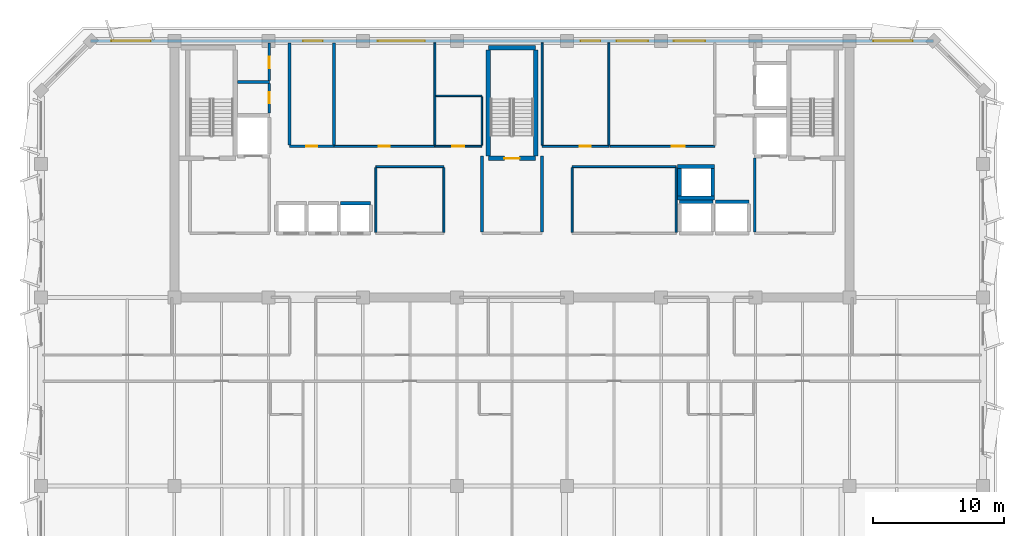
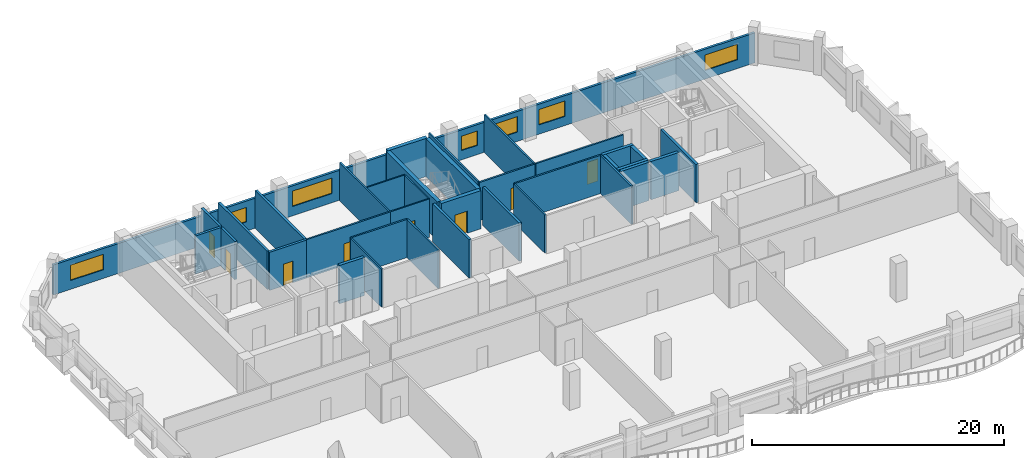
# One storey, part 6 of 11: 36 walls, 8 doors, 7 windows, 15 openings.
"""IFC4 building model written with IfcOpenShell, lengths in metres."""

from ifc_helpers import new_model, si_unit, direction, frame, frame_2d, origin, place, context, subcontext, project, spatial, rectangle, extrude, material, layer, layer_set, type_object, element, fill, save


model = new_model("IFC4")

# Units and contexts
model_context = context("Model", 3, precision=1e-05, world=origin(), true_north=direction((0.0, 1.0)))
body_context = subcontext(model_context, "Body", "Model", "MODEL_VIEW")
ifc_project = project(units=[si_unit("LENGTHUNIT", "METRE"), si_unit("AREAUNIT", "SQUARE_METRE"), si_unit("VOLUMEUNIT", "CUBIC_METRE"), si_unit("PLANEANGLEUNIT", "RADIAN"), si_unit("MASSUNIT", "GRAM", prefix="KILO")], contexts=[model_context])

# Site, building, storey
site_placement = place(None, origin())
site = spatial("IfcSite", under=ifc_project, at=site_placement, CompositionType="ELEMENT")
building_placement = place(site_placement, origin())
building = spatial("IfcBuilding", under=site, at=building_placement, Name="Kaelvorn Grand Hotel", CompositionType="ELEMENT")
storey_placement = place(building_placement, frame((0.0, 0.0, 272.60009765625)))
storey = spatial("IfcBuildingStorey", under=building, at=storey_placement, Name="L67", CompositionType="ELEMENT", Elevation=272.60009765625)

# Wall, openings, windows
ifc_material_1 = material(Name="Concrete C40/50", Category="concrete")
ifc_layer_1 = layer(ifc_material_1, 0.219970703125)
ifc_layer_set_1 = layer_set([ifc_layer_1], Name="Concrete C40/50")
wall_type_1 = type_object("IfcWallType", Name="WL-EXT-220-C40", PredefinedType="SOLIDWALL", material=ifc_layer_set_1)
wall_1_placement = place(storey_placement, frame((74.199951171875, 49.0, 0.0), z_axis=(0.0, 0.0, 1.0), x_axis=(-1.0, 0.0, 0.0)))
wall_1 = element("IfcWall", 1, at=wall_1_placement, inside=storey, type_object=wall_type_1, Name="L67 Exterior Architectural Concrete Wall 05", PredefinedType="SOLIDWALL", context=body_context, shape_type="SweptSolid", body=[
    extrude(rectangle(XDim=64.39990234375, YDim=0.219970703125, at=frame_2d((32.199951171875, 0.0))), origin(), (0.0, 0.0, 1.0), 2.909912109375),
])
opening_1_placement = place(wall_1_placement, frame((59.81494140625, 0.0, 0.85009765625)))
opening_1 = element("IfcOpeningElement", 2, at=opening_1_placement, cuts=wall_1, Name="Opening W5", PredefinedType="OPENING", context=body_context, shape_type="SweptSolid", body=[
    extrude(rectangle(XDim=3.0, YDim=1.5, at=frame_2d((1.5, 0.75))), frame((0.0, 0.1201171875, 0.0), z_axis=(0.0, -1.0, 0.0), x_axis=(1.0, 0.0, 0.0)), (0.0, 0.0, 1.0), 0.239990234375),
])
opening_2_placement = place(wall_1_placement, frame((1.5849609375, 0.0, 0.85009765625)))
opening_2 = element("IfcOpeningElement", 3, at=opening_2_placement, cuts=wall_1, Name="Opening W5", PredefinedType="OPENING", context=body_context, shape_type="SweptSolid", body=[
    extrude(rectangle(XDim=3.0, YDim=1.5, at=frame_2d((1.5, 0.75))), frame((0.0, 0.1201171875, 0.0), z_axis=(0.0, -1.0, 0.0), x_axis=(1.0, 0.0, 0.0)), (0.0, 0.0, 1.0), 0.239990234375),
])
opening_3_placement = place(wall_1_placement, frame((46.6650390625, 0.0, 0.89990234375)))
opening_3 = element("IfcOpeningElement", 4, at=opening_3_placement, cuts=wall_1, Name="Opening W10", PredefinedType="OPENING", context=body_context, shape_type="SweptSolid", body=[
    extrude(rectangle(XDim=1.5, YDim=1.39990234375, at=frame_2d((0.75, 0.699951171875))), frame((0.0, 0.1201171875, 0.0), z_axis=(0.0, -1.0, 0.0), x_axis=(1.0, 0.0, 0.0)), (0.0, 0.0, 1.0), 0.239990234375),
])
opening_4_placement = place(wall_1_placement, frame((38.85009765625, 0.0, 0.89990234375)))
opening_4 = element("IfcOpeningElement", 5, at=opening_4_placement, cuts=wall_1, Name="Opening W3", PredefinedType="OPENING", context=body_context, shape_type="SweptSolid", body=[
    extrude(rectangle(XDim=3.60009765625, YDim=1.5, at=frame_2d((1.800048828125, 0.75))), frame((0.0, 0.1201171875, 0.0), z_axis=(0.0, -1.0, 0.0), x_axis=(1.0, 0.0, 0.0)), (0.0, 0.0, 1.0), 0.239990234375),
])
opening_5_placement = place(wall_1_placement, frame((25.449951171875, 0.0, 0.89990234375)))
opening_5 = element("IfcOpeningElement", 6, at=opening_5_placement, cuts=wall_1, Name="Opening W10", PredefinedType="OPENING", context=body_context, shape_type="SweptSolid", body=[
    extrude(rectangle(XDim=1.5, YDim=1.39990234375, at=frame_2d((0.75, 0.699951171875))), frame((0.0, 0.1201171875, 0.0), z_axis=(0.0, -1.0, 0.0), x_axis=(1.0, 0.0, 0.0)), (0.0, 0.0, 1.0), 0.239990234375),
])
opening_6_placement = place(wall_1_placement, frame((21.800048828125, 0.0, 0.89990234375)))
opening_6 = element("IfcOpeningElement", 7, at=opening_6_placement, cuts=wall_1, Name="Opening W6", PredefinedType="OPENING", context=body_context, shape_type="SweptSolid", body=[
    extrude(rectangle(XDim=2.39990234375, YDim=1.5, at=frame_2d((1.199951171875, 0.75))), frame((0.0, 0.1201171875, 0.0), z_axis=(0.0, -1.0, 0.0), x_axis=(1.0, 0.0, 0.0)), (0.0, 0.0, 1.0), 0.239990234375),
])
opening_7_placement = place(wall_1_placement, frame((17.43505859375, 0.0, 0.89990234375)))
opening_7 = element("IfcOpeningElement", 8, at=opening_7_placement, cuts=wall_1, Name="Opening W6", PredefinedType="OPENING", context=body_context, shape_type="SweptSolid", body=[
    extrude(rectangle(XDim=2.39990234375, YDim=1.5, at=frame_2d((1.199951171875, 0.75))), frame((0.0, 0.1201171875, 0.0), z_axis=(0.0, -1.0, 0.0), x_axis=(1.0, 0.0, 0.0)), (0.0, 0.0, 1.0), 0.239990234375),
])
ifc_material_2 = material(Name="Laminated Low-E Glass", Category="glass")
window_type_1 = type_object("IfcWindowType", Name="WIN-COR-1500x1400", PartitioningType="SINGLE_PANEL", PredefinedType="WINDOW", material=ifc_material_2)
window_1_placement = place(opening_3_placement, origin())
window_1 = element("IfcWindow", 9, at=window_1_placement, inside=storey, type_object=window_type_1, Name="L67 North Core Clerestory Ribbon Window NC03", OverallHeight=1.39990234375, OverallWidth=1.5, PartitioningType="SINGLE_PANEL", PredefinedType="WINDOW", context=body_context, shape_type="SweptSolid", body=[
    extrude(rectangle(XDim=1.5, YDim=1.39990234375, at=frame_2d((0.75, 0.699951171875))), frame((0.0, 0.030029296875, 0.0), z_axis=(0.0, -1.0, 0.0), x_axis=(1.0, 0.0, 0.0)), (0.0, 0.0, 1.0), 0.06005859375),
])
fill(opening_3, window_1)
window_2_placement = place(opening_5_placement, origin())
window_2 = element("IfcWindow", 10, at=window_2_placement, inside=storey, type_object=window_type_1, Name="L67 North Core Clerestory Ribbon Window NC05", OverallHeight=1.39990234375, OverallWidth=1.5, PartitioningType="SINGLE_PANEL", PredefinedType="WINDOW", context=body_context, shape_type="SweptSolid", body=[
    extrude(rectangle(XDim=1.5, YDim=1.39990234375, at=frame_2d((0.75, 0.699951171875))), frame((0.0, 0.030029296875, 0.0), z_axis=(0.0, -1.0, 0.0), x_axis=(1.0, 0.0, 0.0)), (0.0, 0.0, 1.0), 0.06005859375),
])
fill(opening_5, window_2)
window_type_2 = type_object("IfcWindowType", Name="WIN-NTH-2400x1500", PartitioningType="SINGLE_PANEL", PredefinedType="WINDOW", material=ifc_material_2)
window_3_placement = place(opening_6_placement, origin())
window_3 = element("IfcWindow", 11, at=window_3_placement, inside=storey, type_object=window_type_2, Name="L67 North Core Clerestory Ribbon Window NC06", OverallHeight=1.5, OverallWidth=2.39990234375, PartitioningType="SINGLE_PANEL", PredefinedType="WINDOW", context=body_context, shape_type="SweptSolid", body=[
    extrude(rectangle(XDim=2.39990234375, YDim=1.5, at=frame_2d((1.199951171875, 0.75))), frame((0.0, 0.030029296875, 0.0), z_axis=(0.0, -1.0, 0.0), x_axis=(1.0, 0.0, 0.0)), (0.0, 0.0, 1.0), 0.06005859375),
])
fill(opening_6, window_3)
window_4_placement = place(opening_7_placement, origin())
window_4 = element("IfcWindow", 12, at=window_4_placement, inside=storey, type_object=window_type_2, Name="L67 North Core Clerestory Ribbon Window NC07", OverallHeight=1.5, OverallWidth=2.39990234375, PartitioningType="SINGLE_PANEL", PredefinedType="WINDOW", context=body_context, shape_type="SweptSolid", body=[
    extrude(rectangle(XDim=2.39990234375, YDim=1.5, at=frame_2d((1.199951171875, 0.75))), frame((0.0, 0.030029296875, 0.0), z_axis=(0.0, -1.0, 0.0), x_axis=(1.0, 0.0, 0.0)), (0.0, 0.0, 1.0), 0.06005859375),
])
fill(opening_7, window_4)
window_type_3 = type_object("IfcWindowType", Name="WIN-NTH-3000x1500", PartitioningType="SINGLE_PANEL", PredefinedType="WINDOW", material=ifc_material_2)
window_5_placement = place(opening_1_placement, origin())
window_5 = element("IfcWindow", 13, at=window_5_placement, inside=storey, type_object=window_type_3, Name="L67 North Wing Ribbon Window NW01", OverallHeight=1.5, OverallWidth=3.0, PartitioningType="SINGLE_PANEL", PredefinedType="WINDOW", context=body_context, shape_type="SweptSolid", body=[
    extrude(rectangle(XDim=3.0, YDim=1.5, at=frame_2d((1.5, 0.75))), frame((0.0, 0.030029296875, 0.0), z_axis=(0.0, -1.0, 0.0), x_axis=(1.0, 0.0, 0.0)), (0.0, 0.0, 1.0), 0.06005859375),
])
fill(opening_1, window_5)
window_6_placement = place(opening_2_placement, origin())
window_6 = element("IfcWindow", 14, at=window_6_placement, inside=storey, type_object=window_type_3, Name="L67 North Wing Ribbon Window NW02", OverallHeight=1.5, OverallWidth=3.0, PartitioningType="SINGLE_PANEL", PredefinedType="WINDOW", context=body_context, shape_type="SweptSolid", body=[
    extrude(rectangle(XDim=3.0, YDim=1.5, at=frame_2d((1.5, 0.75))), frame((0.0, 0.030029296875, 0.0), z_axis=(0.0, -1.0, 0.0), x_axis=(1.0, 0.0, 0.0)), (0.0, 0.0, 1.0), 0.06005859375),
])
fill(opening_2, window_6)
window_type_4 = type_object("IfcWindowType", Name="WIN-RIB-3600x1750", PartitioningType="SINGLE_PANEL", PredefinedType="WINDOW", material=ifc_material_2)
window_7_placement = place(opening_4_placement, origin())
window_7 = element("IfcWindow", 15, at=window_7_placement, inside=storey, type_object=window_type_4, Name="L67 North Core Clerestory Ribbon Window NC04", OverallHeight=1.5, OverallWidth=3.60009765625, PartitioningType="SINGLE_PANEL", PredefinedType="WINDOW", context=body_context, shape_type="SweptSolid", body=[
    extrude(rectangle(XDim=3.60009765625, YDim=1.5, at=frame_2d((1.800048828125, 0.75))), frame((0.0, 0.030029296875, 0.0), z_axis=(0.0, -1.0, 0.0), x_axis=(1.0, 0.0, 0.0)), (0.0, 0.0, 1.0), 0.06005859375),
])
fill(opening_4, window_7)

# Wall, opening, door
ifc_material_3 = material(Name="Moisture-Resistant Tile & Stud Board")
ifc_layer_2 = layer(ifc_material_3, 0.125)
ifc_layer_set_2 = layer_set([ifc_layer_2], Name="Moisture-Resistant Tile & Stud Board")
wall_type_2 = type_object("IfcWallType", Name="WL-PART-125-WET", PredefinedType="PARTITIONING", material=ifc_layer_set_2)
wall_2_placement = place(storey_placement, frame((36.110107421875, 40.949951171875, 0.0), z_axis=(0.0, 0.0, 1.0), x_axis=(1.0, 0.0, 0.0)))
wall_2 = element("IfcWall", 16, at=wall_2_placement, inside=storey, type_object=wall_type_2, Name="L67 Accessible WC S Partition", PredefinedType="PARTITIONING", context=body_context, shape_type="SweptSolid", body=[
    extrude(rectangle(XDim=3.58984375, YDim=0.125, at=frame_2d((1.794921875, 0.0))), origin(), (0.0, 0.0, 1.0), 3.7099609375),
])
opening_8_placement = place(wall_2_placement, frame((1.340087890625, 0.0, 0.0)))
opening_8 = element("IfcOpeningElement", 17, at=opening_8_placement, cuts=wall_2, Name="Opening DI4", PredefinedType="OPENING", context=body_context, shape_type="SweptSolid", body=[
    extrude(rectangle(XDim=0.89990234375, YDim=2.10009765625, at=frame_2d((0.449951171875, 1.050048828125))), frame((0.0, 0.072509765625, 0.0), z_axis=(0.0, -1.0, 0.0), x_axis=(1.0, 0.0, 0.0)), (0.0, 0.0, 1.0), 0.14501953125),
])
ifc_material_4 = material(Name="Timber Veneer Leaf", Category="wood")
door_type_1 = type_object("IfcDoorType", Name="DR-INT-BATH-900x2100", OperationType="NOTDEFINED", PredefinedType="DOOR", material=ifc_material_4)
door_1_placement = place(opening_8_placement, origin())
door_1 = element("IfcDoor", 18, at=door_1_placement, inside=storey, type_object=door_type_1, Name="L67 Accessible WC Door", OperationType="SINGLE_SWING_LEFT", OverallHeight=2.10009765625, OverallWidth=0.89990234375, PredefinedType="DOOR", context=body_context, shape_type="SweptSolid", body=[
    extrude(rectangle(XDim=0.89990234375, YDim=2.10009765625, at=frame_2d((0.449951171875, 1.050048828125))), frame((0.0, 0.02490234375, 0.0), z_axis=(0.0, -1.0, 0.0), x_axis=(1.0, 0.0, 0.0)), (0.0, 0.0, 1.0), 0.050048828125),
])
fill(opening_8, door_1)

# Walls
wall_3_placement = place(storey_placement, frame((36.179931640625, 44.800048828125, 0.0), z_axis=(0.0, 0.0, 1.0), x_axis=(1.0, 0.0, 0.0)))
element("IfcWall", 19, at=wall_3_placement, inside=storey, type_object=wall_type_2, Name="L67 Accessible WC N Partition", PredefinedType="PARTITIONING", context=body_context, shape_type="SweptSolid", body=[
    extrude(rectangle(XDim=3.52001953125, YDim=0.125, at=frame_2d((1.760009765625, 0.0))), origin(), (0.0, 0.0, 1.0), 3.7099609375),
])
wall_4_placement = place(storey_placement, frame((39.699951171875, 41.017578125, 0.0), z_axis=(0.0, 0.0, 1.0), x_axis=(0.0, 1.0, 0.0)))
element("IfcWall", 20, at=wall_4_placement, inside=storey, type_object=wall_type_2, Name="L67 Accessible WC E Partition", PredefinedType="PARTITIONING", context=body_context, shape_type="SweptSolid", body=[
    extrude(rectangle(XDim=3.71484375, YDim=0.125, at=frame_2d((1.857421875, 0.0))), origin(), (0.0, 0.0, 1.0), 3.7099609375),
])
ifc_material_5 = material(Name="Acoustic Gypsum & Stud Partition")
ifc_layer_3 = layer(ifc_material_5, 0.14990234375)
ifc_layer_set_3 = layer_set([ifc_layer_3], Name="Acoustic Gypsum & Stud Partition")
wall_type_3 = type_object("IfcWallType", Name="WL-PART-150-EI60", PredefinedType="PARTITIONING", material=ifc_layer_set_3)
wall_5_placement = place(storey_placement, frame((31.60009765625, 39.39990234375, 0.0), z_axis=(0.0, 0.0, 1.0), x_axis=(1.0, 0.0, 0.0)))
element("IfcWall", 21, at=wall_5_placement, inside=storey, type_object=wall_type_3, Name="L67 Core Telecoms & BMS Server Room N Partition", PredefinedType="PARTITIONING", context=body_context, shape_type="SweptSolid", body=[
    extrude(rectangle(XDim=5.199951171875, YDim=0.14990234375, at=frame_2d((2.60009765625, 0.0))), origin(), (0.0, 0.0, 1.0), 3.7099609375),
])
for number, where, z_axis, x_axis, name in (
    (22, (31.60009765625, 34.3798828125, 0.0), (0.0, 0.0, 1.0), (0.0, 1.0, 0.0), "L67 Core Telecoms & BMS Server Room W Partition"),
    (23, (36.800048828125, 34.3798828125, 0.0), (0.0, 0.0, 1.0), (0.0, 1.0, 0.0), "L67 Core Telecoms & BMS Server Room E Partition"),
):
    element("IfcWall", number, at=place(storey_placement, frame(where, z_axis=z_axis, x_axis=x_axis)), inside=storey, type_object=wall_type_3, Name=name, PredefinedType="PARTITIONING", context=body_context, shape_type="SweptSolid", body=[
        extrude(rectangle(XDim=4.940185546875, YDim=0.14990234375, at=frame_2d((2.47021484375, 0.0))), origin(), (0.0, 0.0, 1.0), 3.7099609375),
    ])
wall_6_placement = place(storey_placement, frame((46.60009765625, 39.39990234375, 0.0), z_axis=(0.0, 0.0, 1.0), x_axis=(1.0, 0.0, 0.0)))
element("IfcWall", 24, at=wall_6_placement, inside=storey, type_object=wall_type_3, Name="L67 Sky Concierge & Butler Pantry Lounge N Partition", PredefinedType="PARTITIONING", context=body_context, shape_type="SweptSolid", body=[
    extrude(rectangle(XDim=7.949951171875, YDim=0.14990234375, at=frame_2d((3.97509765625, 0.0))), origin(), (0.0, 0.0, 1.0), 3.7099609375),
])
for number, where, z_axis, x_axis, name in (
    (25, (46.60009765625, 34.3798828125, 0.0), (0.0, 0.0, 1.0), (0.0, 1.0, 0.0), "L67 Sky Concierge & Butler Pantry Lounge W Partition"),
    (26, (54.550048828125, 34.3798828125, 0.0), (0.0, 0.0, 1.0), (0.0, 1.0, 0.0), "L67 Sky Concierge & Butler Pantry Lounge E Partition"),
):
    element("IfcWall", number, at=place(storey_placement, frame(where, z_axis=z_axis, x_axis=x_axis)), inside=storey, type_object=wall_type_3, Name=name, PredefinedType="PARTITIONING", context=body_context, shape_type="SweptSolid", body=[
        extrude(rectangle(XDim=4.940185546875, YDim=0.14990234375, at=frame_2d((2.47021484375, 0.0))), origin(), (0.0, 0.0, 1.0), 3.7099609375),
    ])

# Wall, opening, door
wall_7_placement = place(storey_placement, frame((28.409912109375, 40.949951171875, 0.0), z_axis=(0.0, 0.0, 1.0), x_axis=(1.0, 0.0, 0.0)))
wall_7 = element("IfcWall", 27, at=wall_7_placement, inside=storey, type_object=wall_type_3, Name="L67 Housekeeping & Linen Room S Partition", PredefinedType="PARTITIONING", context=body_context, shape_type="SweptSolid", body=[
    extrude(rectangle(XDim=7.690185546875, YDim=0.14990234375, at=frame_2d((3.84521484375, 0.0))), origin(), (0.0, 0.0, 1.0), 3.7099609375),
])
opening_9_placement = place(wall_7_placement, frame((3.4150390625, 0.0, 0.0)))
opening_9 = element("IfcOpeningElement", 28, at=opening_9_placement, cuts=wall_7, Name="Opening DI7", PredefinedType="OPENING", context=body_context, shape_type="SweptSolid", body=[
    extrude(rectangle(XDim=0.85009765625, YDim=2.10009765625, at=frame_2d((0.425048828125, 1.050048828125))), frame((0.0, 0.0849609375, 0.0), z_axis=(0.0, -1.0, 0.0), x_axis=(1.0, 0.0, 0.0)), (0.0, 0.0, 1.0), 0.169921875),
])
ifc_material_6 = material(Name="Powder-Coated Steel Leaf", Category="steel")
door_type_2 = type_object("IfcDoorType", Name="DR-INT-RISER-850x2100", OperationType="NOTDEFINED", PredefinedType="DOOR", material=ifc_material_6)
door_2_placement = place(opening_9_placement, origin())
door_2 = element("IfcDoor", 29, at=door_2_placement, inside=storey, type_object=door_type_2, Name="L67 Housekeeping & Linen Room Door", OperationType="SINGLE_SWING_RIGHT", OverallHeight=2.10009765625, OverallWidth=0.85009765625, PredefinedType="DOOR", context=body_context, shape_type="SweptSolid", body=[
    extrude(rectangle(XDim=0.85009765625, YDim=2.10009765625, at=frame_2d((0.425048828125, 1.050048828125))), frame((0.0, 0.02490234375, 0.0), z_axis=(0.0, -1.0, 0.0), x_axis=(1.0, 0.0, 0.0)), (0.0, 0.0, 1.0), 0.050048828125),
])
fill(opening_9, door_2)

# Wall
wall_8_placement = place(storey_placement, frame((36.10009765625, 41.030029296875, 0.0), z_axis=(0.0, 0.0, 1.0), x_axis=(0.0, 1.0, 0.0)))
element("IfcWall", 30, at=wall_8_placement, inside=storey, type_object=wall_type_3, Name="L67 Housekeeping & Linen Room E Partition", PredefinedType="PARTITIONING", context=body_context, shape_type="SweptSolid", body=[
    extrude(rectangle(XDim=7.820068359375, YDim=0.14990234375, at=frame_2d((3.91015625, 0.0))), origin(), (0.0, 0.0, 1.0), 3.7099609375),
])

# Wall, opening, door
wall_9_placement = place(storey_placement, frame((44.300048828125, 40.949951171875, 0.0), z_axis=(0.0, 0.0, 1.0), x_axis=(1.0, 0.0, 0.0)))
wall_9 = element("IfcWall", 31, at=wall_9_placement, inside=storey, type_object=wall_type_3, Name="L67 Laundry Chute Vestibule S Partition", PredefinedType="PARTITIONING", context=body_context, shape_type="SweptSolid", body=[
    extrude(rectangle(XDim=5.099853515625, YDim=0.14990234375, at=frame_2d((2.5498046875, 0.0))), origin(), (0.0, 0.0, 1.0), 3.7099609375),
])
opening_10_placement = place(wall_9_placement, frame((2.875, 0.0, 0.0)))
opening_10 = element("IfcOpeningElement", 32, at=opening_10_placement, cuts=wall_9, Name="Opening DI7", PredefinedType="OPENING", context=body_context, shape_type="SweptSolid", body=[
    extrude(rectangle(XDim=0.85009765625, YDim=2.10009765625, at=frame_2d((0.425048828125, 1.050048828125))), frame((0.0, 0.0849609375, 0.0), z_axis=(0.0, -1.0, 0.0), x_axis=(1.0, 0.0, 0.0)), (0.0, 0.0, 1.0), 0.169921875),
])
door_3_placement = place(opening_10_placement, origin())
door_3 = element("IfcDoor", 33, at=door_3_placement, inside=storey, type_object=door_type_2, Name="L67 Laundry Chute Vestibule Door", OperationType="SINGLE_SWING_RIGHT", OverallHeight=2.10009765625, OverallWidth=0.85009765625, PredefinedType="DOOR", context=body_context, shape_type="SweptSolid", body=[
    extrude(rectangle(XDim=0.85009765625, YDim=2.10009765625, at=frame_2d((0.425048828125, 1.050048828125))), frame((0.0, 0.02490234375, 0.0), z_axis=(0.0, -1.0, 0.0), x_axis=(1.0, 0.0, 0.0)), (0.0, 0.0, 1.0), 0.050048828125),
])
fill(opening_10, door_3)

# Walls
for number, where, z_axis, x_axis, name in (
    (34, (44.300048828125, 41.030029296875, 0.0), (0.0, 0.0, 1.0), (0.0, 1.0, 0.0), "L67 Laundry Chute Vestibule W Partition"),
    (35, (49.39990234375, 41.030029296875, 0.0), (0.0, 0.0, 1.0), (0.0, 1.0, 0.0), "L67 Laundry Chute Vestibule E Partition"),
):
    element("IfcWall", number, at=place(storey_placement, frame(where, z_axis=z_axis, x_axis=x_axis)), inside=storey, type_object=wall_type_3, Name=name, PredefinedType="PARTITIONING", context=body_context, shape_type="SweptSolid", body=[
        extrude(rectangle(XDim=7.820068359375, YDim=0.14990234375, at=frame_2d((3.91015625, 0.0))), origin(), (0.0, 0.0, 1.0), 3.7099609375),
    ])

# Wall, opening, door
wall_10_placement = place(storey_placement, frame((49.47998046875, 40.949951171875, 0.0), z_axis=(0.0, 0.0, 1.0), x_axis=(1.0, 0.0, 0.0)))
wall_10 = element("IfcWall", 36, at=wall_10_placement, inside=storey, type_object=wall_type_3, Name="L67 Butler Servery Pantry S Partition", PredefinedType="PARTITIONING", context=body_context, shape_type="SweptSolid", body=[
    extrude(rectangle(XDim=8.02001953125, YDim=0.14990234375, at=frame_2d((4.010009765625, 0.0))), origin(), (0.0, 0.0, 1.0), 3.7099609375),
])
opening_11_placement = place(wall_10_placement, frame((4.719970703125, 0.0, 0.0)))
opening_11 = element("IfcOpeningElement", 37, at=opening_11_placement, cuts=wall_10, Name="Opening DI3", PredefinedType="OPENING", context=body_context, shape_type="SweptSolid", body=[
    extrude(rectangle(XDim=1.0, YDim=2.14990234375, at=frame_2d((0.5, 1.074951171875))), frame((0.0, 0.0849609375, 0.0), z_axis=(0.0, -1.0, 0.0), x_axis=(1.0, 0.0, 0.0)), (0.0, 0.0, 1.0), 0.169921875),
])
ifc_material_7 = material(Name="Timber Veneer Fire Leaf", Category="wood")
door_type_3 = type_object("IfcDoorType", Name="DR-INT-GUEST-1000x2150", OperationType="NOTDEFINED", PredefinedType="DOOR", material=ifc_material_7)
door_4_placement = place(opening_11_placement, origin())
door_4 = element("IfcDoor", 38, at=door_4_placement, inside=storey, type_object=door_type_3, Name="L67 Butler Servery Pantry Door", OperationType="SINGLE_SWING_LEFT", OverallHeight=2.14990234375, OverallWidth=1.0, PredefinedType="DOOR", context=body_context, shape_type="SweptSolid", body=[
    extrude(rectangle(XDim=1.0, YDim=2.14990234375, at=frame_2d((0.5, 1.074951171875))), frame((0.0, 0.02490234375, 0.0), z_axis=(0.0, -1.0, 0.0), x_axis=(1.0, 0.0, 0.0)), (0.0, 0.0, 1.0), 0.050048828125),
])
fill(opening_11, door_4)

# Walls
ifc_layer_4 = layer(ifc_material_1, 0.219970703125)
ifc_layer_set_4 = layer_set([ifc_layer_4], Name="Concrete C40/50")
wall_type_4 = type_object("IfcWallType", Name="WL-PART-220-EI120", PredefinedType="PARTITIONING", material=ifc_layer_set_4)
wall_11_placement = place(storey_placement, frame((60.550048828125, 34.4150390625, 0.0), z_axis=(0.0, 0.0, 1.0), x_axis=(0.0, 1.0, 0.0)))
element("IfcWall", 39, at=wall_11_placement, inside=storey, type_object=wall_type_4, Name="L67 Firefighting Lift Lobby 2 W Partition", PredefinedType="PARTITIONING", context=body_context, shape_type="SweptSolid", body=[
    extrude(rectangle(XDim=5.639892578125, YDim=0.219970703125, at=frame_2d((2.81982421875, 0.0))), origin(), (0.0, 0.0, 1.0), 3.7099609375),
])
for number, where, z_axis, x_axis, name in (
    (40, (39.699951171875, 34.4150390625, 0.0), (0.0, 0.0, 1.0), (0.0, 1.0, 0.0), "L67 Central Stair Escape Vestibule W Partition"),
    (41, (44.300048828125, 34.4150390625, 0.0), (0.0, 0.0, 1.0), (0.0, 1.0, 0.0), "L67 Central Stair Escape Vestibule E Partition"),
):
    element("IfcWall", number, at=place(storey_placement, frame(where, z_axis=z_axis, x_axis=x_axis)), inside=storey, type_object=wall_type_4, Name=name, PredefinedType="PARTITIONING", context=body_context, shape_type="SweptSolid", body=[
        extrude(rectangle(XDim=5.784912109375, YDim=0.219970703125, at=frame_2d((2.892578125, 0.0))), origin(), (0.0, 0.0, 1.0), 3.7099609375),
    ])
wall_12_placement = place(storey_placement, frame((21.034912109375, 45.85009765625, 0.0), z_axis=(0.0, 0.0, 1.0), x_axis=(1.0, 0.0, 0.0)))
element("IfcWall", 42, at=wall_12_placement, inside=storey, type_object=wall_type_4, Name="L67 Wet Fire & Plumbing Riser Shaft N Partition", PredefinedType="PARTITIONING", context=body_context, shape_type="SweptSolid", body=[
    extrude(rectangle(XDim=2.4150390625, YDim=0.219970703125, at=frame_2d((1.20751953125, 0.0))), origin(), (0.0, 0.0, 1.0), 3.7099609375),
])

# Wall, opening, door
wall_13_placement = place(storey_placement, frame((23.449951171875, 43.5, 0.0), z_axis=(0.0, 0.0, 1.0), x_axis=(0.0, 1.0, 0.0)))
wall_13 = element("IfcWall", 43, at=wall_13_placement, inside=storey, type_object=wall_type_4, Name="L67 Wet Fire & Plumbing Riser Shaft E Partition", PredefinedType="PARTITIONING", context=body_context, shape_type="SweptSolid", body=[
    extrude(rectangle(XDim=2.235107421875, YDim=0.219970703125, at=frame_2d((1.11767578125, 0.0))), origin(), (0.0, 0.0, 1.0), 3.7099609375),
])
opening_12_placement = place(wall_13_placement, frame((0.72509765625, 0.0, 0.0)))
opening_12 = element("IfcOpeningElement", 44, at=opening_12_placement, cuts=wall_13, Name="Opening DI7", PredefinedType="OPENING", context=body_context, shape_type="SweptSolid", body=[
    extrude(rectangle(XDim=0.85009765625, YDim=2.10009765625, at=frame_2d((0.425048828125, 1.050048828125))), frame((0.0, 0.1201171875, 0.0), z_axis=(0.0, -1.0, 0.0), x_axis=(1.0, 0.0, 0.0)), (0.0, 0.0, 1.0), 0.239990234375),
])
door_5_placement = place(opening_12_placement, origin())
door_5 = element("IfcDoor", 45, at=door_5_placement, inside=storey, type_object=door_type_2, Name="L67 Wet Fire & Plumbing Riser Shaft Door", OperationType="SINGLE_SWING_LEFT", OverallHeight=2.10009765625, OverallWidth=0.85009765625, PredefinedType="DOOR", context=body_context, shape_type="SweptSolid", body=[
    extrude(rectangle(XDim=0.85009765625, YDim=2.10009765625, at=frame_2d((0.425048828125, 1.050048828125))), frame((0.0, 0.02490234375, 0.0), z_axis=(0.0, -1.0, 0.0), x_axis=(1.0, 0.0, 0.0)), (0.0, 0.0, 1.0), 0.050048828125),
])
fill(opening_12, door_5)

wall_14_placement = place(storey_placement, frame((23.449951171875, 45.965087890625, 0.0), z_axis=(0.0, 0.0, 1.0), x_axis=(0.0, 1.0, 0.0)))
wall_14 = element("IfcWall", 46, at=wall_14_placement, inside=storey, type_object=wall_type_4, Name="L67 HV Electrical & Smoke Riser E Partition", PredefinedType="PARTITIONING", context=body_context, shape_type="SweptSolid", body=[
    extrude(rectangle(XDim=2.885009765625, YDim=0.219970703125, at=frame_2d((1.4423828125, 0.0))), origin(), (0.0, 0.0, 1.0), 3.7099609375),
])
opening_13_placement = place(wall_14_placement, frame((0.9599609375, 0.0, 0.0)))
opening_13 = element("IfcOpeningElement", 47, at=opening_13_placement, cuts=wall_14, Name="Opening DI7", PredefinedType="OPENING", context=body_context, shape_type="SweptSolid", body=[
    extrude(rectangle(XDim=0.85009765625, YDim=2.10009765625, at=frame_2d((0.425048828125, 1.050048828125))), frame((0.0, 0.1201171875, 0.0), z_axis=(0.0, -1.0, 0.0), x_axis=(1.0, 0.0, 0.0)), (0.0, 0.0, 1.0), 0.239990234375),
])
door_6_placement = place(opening_13_placement, origin())
door_6 = element("IfcDoor", 48, at=door_6_placement, inside=storey, type_object=door_type_2, Name="L67 HV Electrical & Smoke Riser Door", OperationType="SINGLE_SWING_RIGHT", OverallHeight=2.10009765625, OverallWidth=0.85009765625, PredefinedType="DOOR", context=body_context, shape_type="SweptSolid", body=[
    extrude(rectangle(XDim=0.85009765625, YDim=2.10009765625, at=frame_2d((0.425048828125, 1.050048828125))), frame((0.0, 0.02490234375, 0.0), z_axis=(0.0, -1.0, 0.0), x_axis=(1.0, 0.0, 0.0)), (0.0, 0.0, 1.0), 0.050048828125),
])
fill(opening_13, door_6)

wall_15_placement = place(storey_placement, frame((25.0, 40.949951171875, 0.0), z_axis=(0.0, 0.0, 1.0), x_axis=(1.0, 0.0, 0.0)))
wall_15 = element("IfcWall", 49, at=wall_15_placement, inside=storey, type_object=wall_type_4, Name="L67 Electrical Distribution Room S Partition", PredefinedType="PARTITIONING", context=body_context, shape_type="SweptSolid", body=[
    extrude(rectangle(XDim=3.39990234375, YDim=0.219970703125, at=frame_2d((1.699951171875, 0.0))), origin(), (0.0, 0.0, 1.0), 3.7099609375),
])
opening_14_placement = place(wall_15_placement, frame((1.27490234375, 0.0, 0.0)))
opening_14 = element("IfcOpeningElement", 50, at=opening_14_placement, cuts=wall_15, Name="Opening DI7", PredefinedType="OPENING", context=body_context, shape_type="SweptSolid", body=[
    extrude(rectangle(XDim=0.85009765625, YDim=2.10009765625, at=frame_2d((0.425048828125, 1.050048828125))), frame((0.0, 0.1201171875, 0.0), z_axis=(0.0, -1.0, 0.0), x_axis=(1.0, 0.0, 0.0)), (0.0, 0.0, 1.0), 0.239990234375),
])
door_7_placement = place(opening_14_placement, origin())
door_7 = element("IfcDoor", 51, at=door_7_placement, inside=storey, type_object=door_type_2, Name="L67 Electrical Distribution Room Door", OperationType="SINGLE_SWING_LEFT", OverallHeight=2.10009765625, OverallWidth=0.85009765625, PredefinedType="DOOR", context=body_context, shape_type="SweptSolid", body=[
    extrude(rectangle(XDim=0.85009765625, YDim=2.10009765625, at=frame_2d((0.425048828125, 1.050048828125))), frame((0.0, 0.02490234375, 0.0), z_axis=(0.0, -1.0, 0.0), x_axis=(1.0, 0.0, 0.0)), (0.0, 0.0, 1.0), 0.050048828125),
])
fill(opening_14, door_7)

# Walls
for number, where, z_axis, x_axis, name in (
    (52, (25.0, 41.06494140625, 0.0), (0.0, 0.0, 1.0), (0.0, 1.0, 0.0), "L67 Electrical Distribution Room W Partition"),
    (53, (28.39990234375, 41.06494140625, 0.0), (0.0, 0.0, 1.0), (0.0, 1.0, 0.0), "L67 Electrical Distribution Room E Partition"),
):
    element("IfcWall", number, at=place(storey_placement, frame(where, z_axis=z_axis, x_axis=x_axis)), inside=storey, type_object=wall_type_4, Name=name, PredefinedType="PARTITIONING", context=body_context, shape_type="SweptSolid", body=[
        extrude(rectangle(XDim=7.78515625, YDim=0.219970703125, at=frame_2d((3.892578125, 0.0))), origin(), (0.0, 0.0, 1.0), 3.7099609375),
    ])
ifc_material_8 = material(Name="Concrete C50/60", Category="concrete")
ifc_layer_5 = layer(ifc_material_8, 0.280029296875)
ifc_layer_set_5 = layer_set([ifc_layer_5], Name="Concrete C50/60")
wall_type_5 = type_object("IfcWallType", Name="WL-SHAFT-280-C50", PredefinedType="SHEAR", material=ifc_layer_set_5)
wall_16_placement = place(storey_placement, frame((28.89990234375, 36.60009765625, 0.0), z_axis=(0.0, 0.0, 1.0), x_axis=(1.0, 0.0, 0.0)))
element("IfcWall", 54, at=wall_16_placement, inside=storey, type_object=wall_type_5, Name="L67 Lift PL-H3 Shaft North Wall", PredefinedType="SHEAR", context=body_context, shape_type="SweptSolid", body=[
    extrude(rectangle(XDim=2.300048828125, YDim=0.280029296875, at=frame_2d((1.14990234375, 0.0))), origin(), (0.0, 0.0, 1.0), 3.7099609375),
])
for number, where, z_axis, x_axis, name in (
    (55, (54.800048828125, 36.699951171875, 0.0), (0.0, 0.0, 1.0), (1.0, 0.0, 0.0), "L67 Lift OL-1 Shaft North Wall"),
    (56, (57.550048828125, 36.699951171875, 0.0), (0.0, 0.0, 1.0), (1.0, 0.0, 0.0), "L67 Lift OL-2 Shaft North Wall"),
):
    element("IfcWall", number, at=place(storey_placement, frame(where, z_axis=z_axis, x_axis=x_axis)), inside=storey, type_object=wall_type_5, Name=name, PredefinedType="SHEAR", context=body_context, shape_type="SweptSolid", body=[
        extrude(rectangle(XDim=2.550048828125, YDim=0.280029296875, at=frame_2d((1.27490234375, 0.0))), origin(), (0.0, 0.0, 1.0), 3.7099609375),
    ])
for number, where, z_axis, x_axis, name in (
    (57, (54.659912109375, 37.0, 0.0), (0.0, 0.0, 1.0), (1.0, 0.0, 0.0), "L67 Lift OL-3 Shaft South Wall"),
    (58, (54.659912109375, 39.39990234375, 0.0), (0.0, 0.0, 1.0), (1.0, 0.0, 0.0), "L67 Lift OL-3 Shaft North Wall"),
):
    element("IfcWall", number, at=place(storey_placement, frame(where, z_axis=z_axis, x_axis=x_axis)), inside=storey, type_object=wall_type_5, Name=name, PredefinedType="SHEAR", context=body_context, shape_type="SweptSolid", body=[
        extrude(rectangle(XDim=2.830078125, YDim=0.280029296875, at=frame_2d((1.4150390625, 0.0))), origin(), (0.0, 0.0, 1.0), 3.7099609375),
    ])
for number, where, z_axis, x_axis, name in (
    (59, (54.800048828125, 37.14501953125, 0.0), (0.0, 0.0, 1.0), (0.0, 1.0, 0.0), "L67 Lift OL-3 Shaft West Wall"),
    (60, (57.35009765625, 37.14501953125, 0.0), (0.0, 0.0, 1.0), (0.0, 1.0, 0.0), "L67 Lift OL-3 Shaft East Wall"),
):
    element("IfcWall", number, at=place(storey_placement, frame(where, z_axis=z_axis, x_axis=x_axis)), inside=storey, type_object=wall_type_5, Name=name, PredefinedType="SHEAR", context=body_context, shape_type="SweptSolid", body=[
        extrude(rectangle(XDim=2.10986328125, YDim=0.280029296875, at=frame_2d((1.054931640625, 0.0))), origin(), (0.0, 0.0, 1.0), 3.7099609375),
    ])

# Wall, opening, door
ifc_material_9 = material(Name="Concrete C60/75", Category="concrete")
ifc_layer_6 = layer(ifc_material_9, 0.35009765625)
ifc_layer_set_6 = layer_set([ifc_layer_6], Name="Concrete C60/75")
wall_type_6 = type_object("IfcWallType", Name="WL-SHAFT-350-C60", PredefinedType="SHEAR", material=ifc_layer_set_6)
wall_17_placement = place(storey_placement, frame((40.18505859375, 40.02490234375, 0.0), z_axis=(0.0, 0.0, 1.0), x_axis=(1.0, 0.0, 0.0)))
wall_17 = element("IfcWall", 61, at=wall_17_placement, inside=storey, type_object=wall_type_6, Name="L67 ST2 Stair Shaft South Wall", PredefinedType="SHEAR", context=body_context, shape_type="SweptSolid", body=[
    extrude(rectangle(XDim=3.6298828125, YDim=0.35009765625, at=frame_2d((1.81494140625, 0.0))), origin(), (0.0, 0.0, 1.0), 3.7099609375),
])
opening_15_placement = place(wall_17_placement, frame((1.239990234375, 0.0, 0.0)))
opening_15 = element("IfcOpeningElement", 62, at=opening_15_placement, cuts=wall_17, Name="Opening DI1", PredefinedType="OPENING", context=body_context, shape_type="SweptSolid", body=[
    extrude(rectangle(XDim=1.14990234375, YDim=2.14990234375, at=frame_2d((0.574951171875, 1.074951171875))), frame((0.0, 0.18505859375, 0.0), z_axis=(0.0, -1.0, 0.0), x_axis=(1.0, 0.0, 0.0)), (0.0, 0.0, 1.0), 0.3701171875),
])
door_type_4 = type_object("IfcDoorType", Name="DR-INT-STAIR-1150x2150", OperationType="NOTDEFINED", PredefinedType="DOOR", material=ifc_material_7)
door_8_placement = place(opening_15_placement, origin())
door_8 = element("IfcDoor", 63, at=door_8_placement, inside=storey, type_object=door_type_4, Name="L67 ST2 Exit Stair Fire Door", OperationType="SINGLE_SWING_LEFT", OverallHeight=2.14990234375, OverallWidth=1.14990234375, PredefinedType="DOOR", context=body_context, shape_type="SweptSolid", body=[
    extrude(rectangle(XDim=1.14990234375, YDim=2.14990234375, at=frame_2d((0.574951171875, 1.074951171875))), frame((0.0, 0.02490234375, 0.0), z_axis=(0.0, -1.0, 0.0), x_axis=(1.0, 0.0, 0.0)), (0.0, 0.0, 1.0), 0.050048828125),
])
fill(opening_15, door_8)

# Walls
wall_18_placement = place(storey_placement, frame((40.18505859375, 48.47509765625, 0.0), z_axis=(0.0, 0.0, 1.0), x_axis=(1.0, 0.0, 0.0)))
element("IfcWall", 64, at=wall_18_placement, inside=storey, type_object=wall_type_6, Name="L67 ST2 Stair Shaft North Wall", PredefinedType="SHEAR", context=body_context, shape_type="SweptSolid", body=[
    extrude(rectangle(XDim=3.6298828125, YDim=0.35009765625, at=frame_2d((1.81494140625, 0.0))), origin(), (0.0, 0.0, 1.0), 3.7099609375),
])
for number, where, z_axis, x_axis, name in (
    (65, (40.18505859375, 40.205078125, 0.0), (0.0, 0.0, 1.0), (0.0, 1.0, 0.0), "L67 ST2 Stair Shaft West Wall"),
    (66, (43.81494140625, 40.205078125, 0.0), (0.0, 0.0, 1.0), (0.0, 1.0, 0.0), "L67 ST2 Stair Shaft East Wall"),
):
    element("IfcWall", number, at=place(storey_placement, frame(where, z_axis=z_axis, x_axis=x_axis)), inside=storey, type_object=wall_type_6, Name=name, PredefinedType="SHEAR", context=body_context, shape_type="SweptSolid", body=[
        extrude(rectangle(XDim=8.08984375, YDim=0.35009765625, at=frame_2d((4.044921875, 0.0))), origin(), (0.0, 0.0, 1.0), 3.7099609375),
    ])

save(model, "model.ifc")
